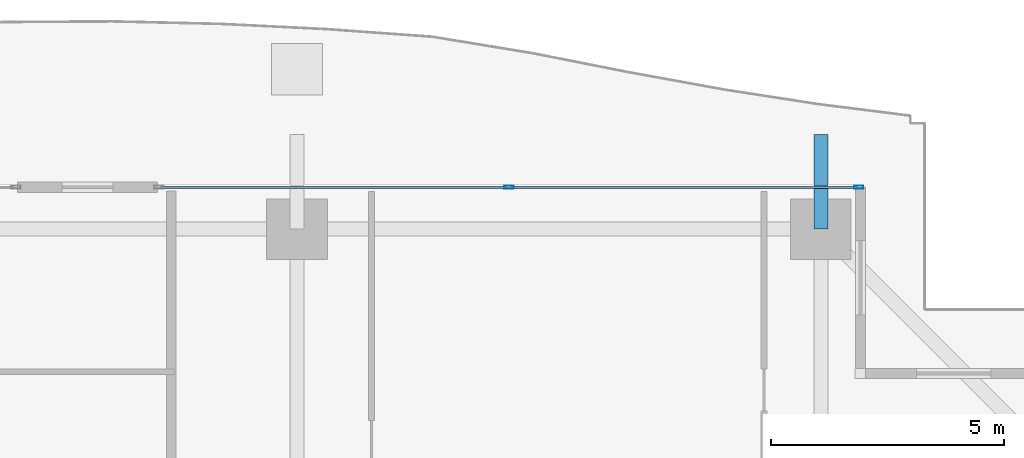
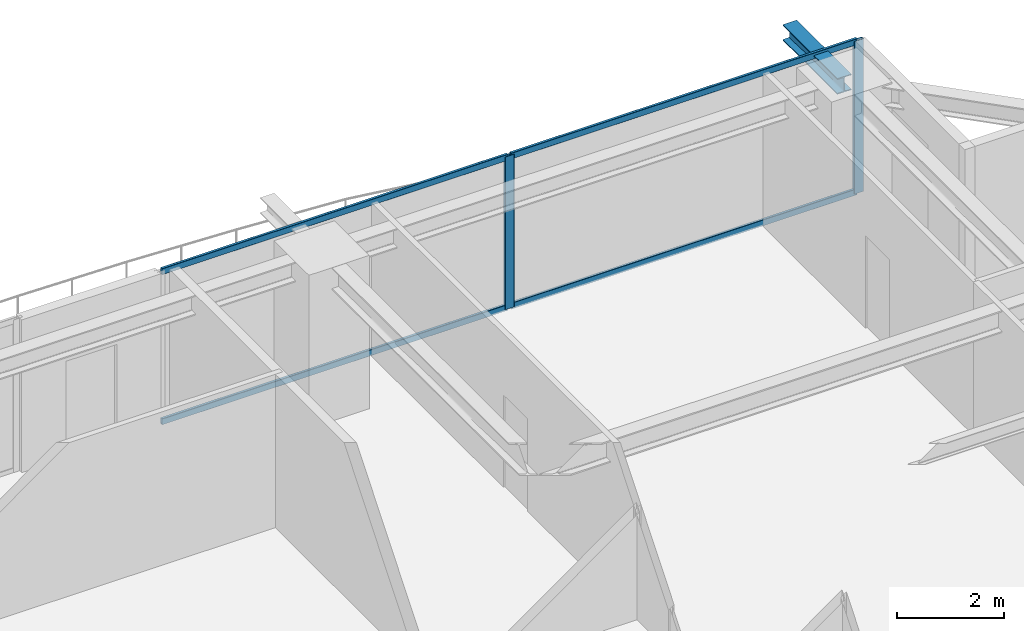
# One storey, part 25 of 38: 6 members, 1 beam, 1 element without a shape of its own.
"""IFC4 building model written with IfcOpenShell, lengths in metres."""

from ifc_helpers import new_model, si_unit, direction, frame, origin, origin_2d, place, context, subcontext, project, spatial, hollow_rectangle, i_section, extrude, source, transform, mapped, material, layer, layer_set, material_profile, profile_set, type_object, element, aggregate, save


model = new_model("IFC4")

# Units and contexts
model_context = context("Model", 3, precision=1e-05, world=origin(), true_north=direction((0.0, 1.0)))
body_context = subcontext(model_context, "Body", "Model", "MODEL_VIEW")
ifc_project = project(units=[si_unit("LENGTHUNIT", "METRE"), si_unit("AREAUNIT", "SQUARE_METRE"), si_unit("VOLUMEUNIT", "CUBIC_METRE"), si_unit("PLANEANGLEUNIT", "RADIAN"), si_unit("MASSUNIT", "GRAM", prefix="KILO")], contexts=[model_context])

# Site, building, storey
site_placement = place(None, origin())
site = spatial("IfcSite", under=ifc_project, at=site_placement, CompositionType="ELEMENT")
building_placement = place(site_placement, origin())
building = spatial("IfcBuilding", under=site, at=building_placement, Name="Serunith Strait Residences", CompositionType="ELEMENT")
storey_placement = place(building_placement, frame((0.0, 0.0, 183.89990234375)))
storey = spatial("IfcBuildingStorey", under=building, at=storey_placement, Name="L46", CompositionType="ELEMENT", Elevation=183.89990234375)

# Beam
ifc_material_1 = material(Name="Steel S355J2", Category="steel")
ifc_material_profile_1 = material_profile(ifc_material_1, i_section(OverallWidth=0.300048828125, OverallDepth=0.360107421875, WebThickness=0.012451171875, FlangeThickness=0.0224609375, FilletRadius=0.027099609375, at=origin_2d()), Name="HEB 360")
ifc_profile_set_1 = profile_set([ifc_material_profile_1], Name="Steel S355J2")
beam_type = type_object("IfcBeamType", Name="BM-HEB360", PredefinedType="BEAM", material=ifc_profile_set_1)
shared_shape_1 = source(origin(), body_context, "Body", "SweptSolid", [
    extrude(i_section(OverallWidth=0.300048828125, OverallDepth=0.360107421875, WebThickness=0.012451171875, FlangeThickness=0.0224609375, FilletRadius=0.027099609375, at=origin_2d()), origin(), (0.0, 0.0, 1.0), 2.02978515625),
])
beam_placement = place(storey_placement, frame((48.14990234375, 48.10009765625, 3.277099609375), z_axis=(0.0, 1.0, 0.0), x_axis=(-1.0, 0.0, 0.0)))
element("IfcBeam", 1, at=beam_placement, inside=storey, type_object=beam_type, Name="L47 Cantilevered Balcony Rib TC-N4", PredefinedType="BEAM", context=body_context, shape_type="MappedRepresentation", body=[
    mapped(shared_shape_1, transform((0.0, 0.0, 0.0), scale=1.0)),
])

# Curtain wall, members
ifc_material_2 = material(Name="Pale-Champagne Anodised Aluminium", Category="aluminium")
ifc_layer = layer(ifc_material_2, 0.199951171875, Name="Pale-Champagne Anodised Aluminium")
ifc_layer_set = layer_set([ifc_layer], Name="Pale-Champagne Anodised Aluminium")
curtain_wall_type = type_object("IfcCurtainWallType", Name="CW-SYS2", PredefinedType="NOTDEFINED", material=ifc_layer_set)
curtain_wall_placement = place(storey_placement, origin())
curtain_wall = element("IfcCurtainWall", 2, at=curtain_wall_placement, inside=storey, type_object=curtain_wall_type, Name="L46 N Unitised Fritted Curtain Wall", PredefinedType="NOTDEFINED")
ifc_material_profile_2 = material_profile(ifc_material_2, hollow_rectangle(XDim=0.070068359375, YDim=0.199951171875, WallThickness=0.00390625, InnerFilletRadius=0.006103515625, OuterFilletRadius=0.010009765625, at=origin_2d()), Name="ALU 200x70x4")
ifc_profile_set_2 = profile_set([ifc_material_profile_2], Name="Pale-Champagne Anodised Aluminium")
member_type_1 = type_object("IfcMemberType", Name="CW-SYS2-MULL", PredefinedType="MULLION", material=ifc_profile_set_2)
shared_shape_2 = source(origin(), body_context, "Body", "SweptSolid", [
    extrude(hollow_rectangle(XDim=0.070068359375, YDim=0.199951171875, WallThickness=0.00390625, InnerFilletRadius=0.006103515625, OuterFilletRadius=0.010009765625, at=origin_2d()), origin(), (0.0, 0.0, 1.0), 3.47509765625),
])
member_1_placement = place(storey_placement, frame((48.965087890625, 49.0, 0.0), z_axis=(0.0, 0.0, 1.0), x_axis=(0.0, -1.0, 0.0)))
member_1 = element("IfcMember", 3, at=member_1_placement, type_object=member_type_1, Name="CW-2 mullion 1", PredefinedType="MULLION", context=body_context, shape_type="MappedRepresentation", body=[
    mapped(shared_shape_2, transform((0.0, 0.0, 0.0), scale=1.0)),
])
member_2_placement = place(storey_placement, frame((41.449951171875, 49.0, 0.0), z_axis=(0.0, 0.0, 1.0), x_axis=(0.0, -1.0, 0.0)))
member_2 = element("IfcMember", 4, at=member_2_placement, type_object=member_type_1, Name="CW-2 mullion 2", PredefinedType="MULLION", context=body_context, shape_type="MappedRepresentation", body=[
    mapped(shared_shape_2, transform((0.0, 0.0, 0.0), scale=1.0)),
])
ifc_material_profile_3 = material_profile(ifc_material_2, hollow_rectangle(XDim=0.06005859375, YDim=0.139892578125, WallThickness=0.00341796875, InnerFilletRadius=0.00537109375, OuterFilletRadius=0.0087890625, at=origin_2d()), Name="ALU 140x60x3.5")
ifc_profile_set_3 = profile_set([ifc_material_profile_3], Name="Pale-Champagne Anodised Aluminium")
member_type_2 = type_object("IfcMemberType", Name="CW-SYS2-TRAN", PredefinedType="USERDEFINED", material=ifc_profile_set_3)
shared_shape_3 = source(origin(), body_context, "Body", "SweptSolid", [
    extrude(hollow_rectangle(XDim=0.06005859375, YDim=0.139892578125, WallThickness=0.00341796875, InnerFilletRadius=0.00537109375, OuterFilletRadius=0.0087890625, at=origin_2d()), origin(), (0.0, 0.0, 1.0), 7.44482421875),
])
member_3_placement = place(storey_placement, frame((48.929931640625, 49.0, 0.030029296875), z_axis=(-1.0, 0.0, 0.0), x_axis=(0.0, -1.0, 0.0)))
member_3 = element("IfcMember", 5, at=member_3_placement, type_object=member_type_2, Name="CW-2 transom 1.1", ObjectType="TRANSOM", PredefinedType="USERDEFINED", context=body_context, shape_type="MappedRepresentation", body=[
    mapped(shared_shape_3, transform((0.0, 0.0, 0.0), scale=1.0)),
])
member_4_placement = place(storey_placement, frame((48.929931640625, 49.0, 3.445068359375), z_axis=(-1.0, 0.0, 0.0), x_axis=(0.0, -1.0, 0.0)))
member_4 = element("IfcMember", 6, at=member_4_placement, type_object=member_type_2, Name="CW-2 transom 1.2", ObjectType="TRANSOM", PredefinedType="USERDEFINED", context=body_context, shape_type="MappedRepresentation", body=[
    mapped(shared_shape_3, transform((0.0, 0.0, 0.0), scale=1.0)),
])
shared_shape_4 = source(origin(), body_context, "Body", "SweptSolid", [
    extrude(hollow_rectangle(XDim=0.06005859375, YDim=0.139892578125, WallThickness=0.00341796875, InnerFilletRadius=0.00537109375, OuterFilletRadius=0.0087890625, at=origin_2d()), origin(), (0.0, 0.0, 1.0), 7.445068359375),
])
member_5_placement = place(storey_placement, frame((41.4150390625, 49.0, 0.030029296875), z_axis=(-1.0, 0.0, 0.0), x_axis=(0.0, -1.0, 0.0)))
member_5 = element("IfcMember", 7, at=member_5_placement, type_object=member_type_2, Name="CW-2 transom 2.1", ObjectType="TRANSOM", PredefinedType="USERDEFINED", context=body_context, shape_type="MappedRepresentation", body=[
    mapped(shared_shape_4, transform((0.0, 0.0, 0.0), scale=1.0)),
])
member_6_placement = place(storey_placement, frame((41.4150390625, 49.0, 3.445068359375), z_axis=(-1.0, 0.0, 0.0), x_axis=(0.0, -1.0, 0.0)))
member_6 = element("IfcMember", 8, at=member_6_placement, type_object=member_type_2, Name="CW-2 transom 2.2", ObjectType="TRANSOM", PredefinedType="USERDEFINED", context=body_context, shape_type="MappedRepresentation", body=[
    mapped(shared_shape_4, transform((0.0, 0.0, 0.0), scale=1.0)),
])
aggregate(curtain_wall, [member_1, member_2, member_3, member_4, member_5, member_6])

save(model, "model.ifc")
